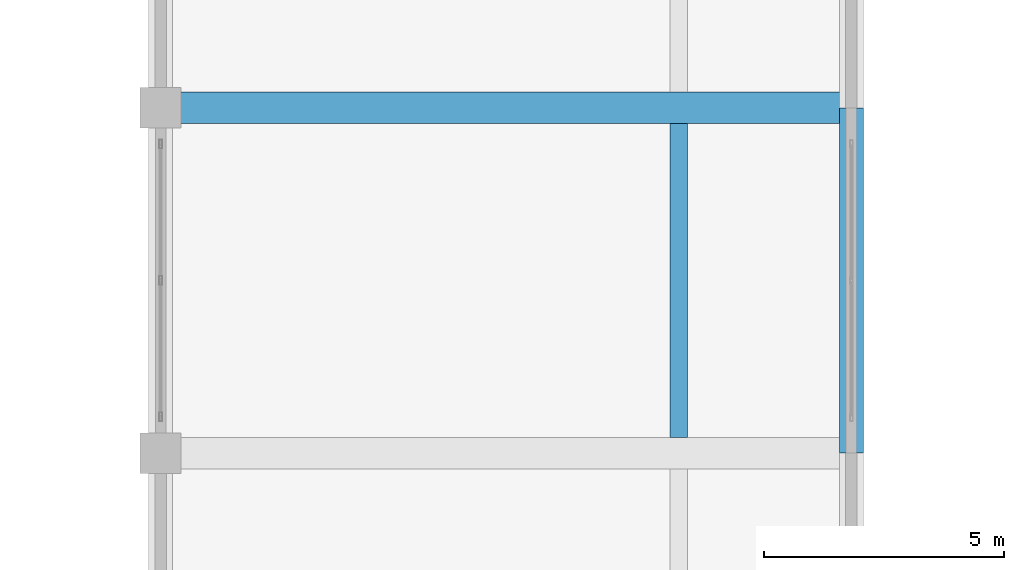
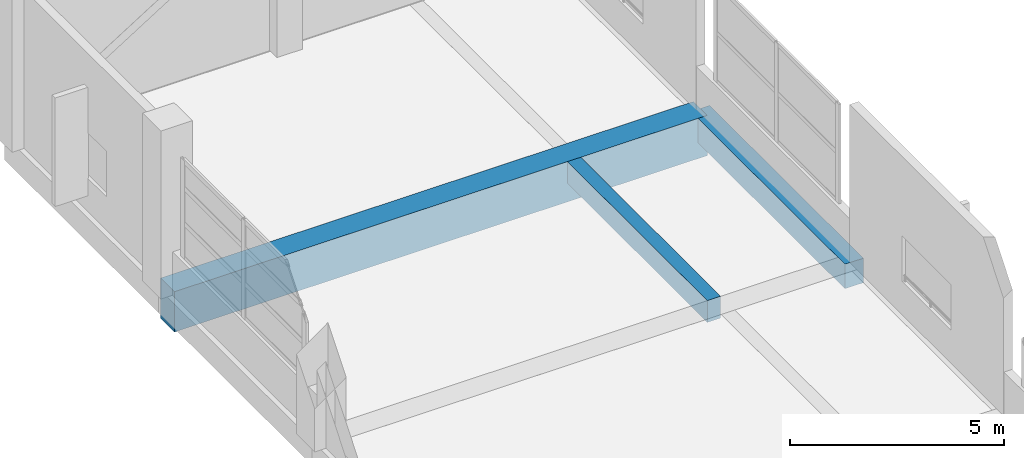
# One storey, part 82 of 181: 3 beams.
"""IFC4 building model written with IfcOpenShell, lengths in metres."""

from ifc_helpers import new_model, si_unit, direction, frame, origin, origin_2d, place, context, subcontext, project, spatial, rectangle, extrude, material, material_profile, profile_set, type_object, element, save


model = new_model("IFC4")

# Units and contexts
model_context = context("Model", 3, precision=1e-05, world=origin(), true_north=direction((0.0, 1.0)))
body_context = subcontext(model_context, "Body", "Model", "MODEL_VIEW")
ifc_project = project(units=[si_unit("LENGTHUNIT", "METRE"), si_unit("AREAUNIT", "SQUARE_METRE"), si_unit("VOLUMEUNIT", "CUBIC_METRE"), si_unit("PLANEANGLEUNIT", "RADIAN"), si_unit("MASSUNIT", "GRAM", prefix="KILO")], contexts=[model_context])

# Site, building, storey
site_placement = place(None, origin())
site = spatial("IfcSite", under=ifc_project, at=site_placement, CompositionType="ELEMENT")
building_placement = place(site_placement, origin())
building = spatial("IfcBuilding", under=site, at=building_placement, Name="Seraya Terrace Polytechnic", CompositionType="ELEMENT")
storey_placement = place(building_placement, frame((0.0, 0.0, 4.800048828125)))
storey = spatial("IfcBuildingStorey", under=building, at=storey_placement, Name="L01", CompositionType="ELEMENT", Elevation=4.800048828125)

# Beams
ifc_material = material(Name="Concrete C40/50", Category="concrete")
ifc_material_profile_1 = material_profile(ifc_material, rectangle(XDim=0.64990234375, YDim=1.14990234375, at=origin_2d()), Name="RC 650x1150")
ifc_profile_set_1 = profile_set([ifc_material_profile_1], Name="Concrete C40/50")
beam_type_1 = type_object("IfcBeamType", Name="BG-02", PredefinedType="USERDEFINED", material=ifc_profile_set_1)
beam_1_placement = place(storey_placement, frame((14.39990234375, 108.0, -0.574951171875), z_axis=(1.0, 0.0, 0.0), x_axis=(0.0, 1.0, 0.0)))
element("IfcBeam", 1, at=beam_1_placement, inside=storey, type_object=beam_type_1, Name="Beam BG-02 L01 X (14.4..28.8, 108.0)", ObjectType="GIRDER", PredefinedType="USERDEFINED", context=body_context, shape_type="SweptSolid", body=[
    extrude(rectangle(XDim=0.64990234375, YDim=1.14990234375, at=origin_2d()), origin(), (0.0, 0.0, 1.0), 14.400146484375),
])
ifc_material_profile_2 = material_profile(ifc_material, rectangle(XDim=0.5, YDim=0.699951171875, at=origin_2d()), Name="RC 500x700")
ifc_profile_set_2 = profile_set([ifc_material_profile_2], Name="Concrete C40/50")
beam_type_2 = type_object("IfcBeamType", Name="BM-07", PredefinedType="BEAM", material=ifc_profile_set_2)
beam_2_placement = place(storey_placement, frame((28.800048828125, 100.800048828125, -0.35009765625), z_axis=(0.0, 1.0, 0.0), x_axis=(-1.0, 0.0, 0.0)))
element("IfcBeam", 2, at=beam_2_placement, inside=storey, type_object=beam_type_2, Name="Beam BM-07 L01 Y (28.8, 100.8..108.0)", PredefinedType="BEAM", context=body_context, shape_type="SweptSolid", body=[
    extrude(rectangle(XDim=0.5, YDim=0.699951171875, at=origin_2d()), origin(), (0.0, 0.0, 1.0), 7.199951171875),
])
ifc_material_profile_3 = material_profile(ifc_material, rectangle(XDim=0.360107421875, YDim=0.6201171875, at=origin_2d()), Name="RC 360x620")
ifc_profile_set_3 = profile_set([ifc_material_profile_3], Name="Concrete C40/50")
beam_type_3 = type_object("IfcBeamType", Name="JS-01", PredefinedType="JOIST", material=ifc_profile_set_3)
beam_3_placement = place(storey_placement, frame((25.199951171875, 101.125, -0.31005859375), z_axis=(0.0, 1.0, 0.0), x_axis=(-1.0, 0.0, 0.0)))
element("IfcBeam", 3, at=beam_3_placement, inside=storey, type_object=beam_type_3, Name="Secondary joist JS-01 L01", PredefinedType="JOIST", context=body_context, shape_type="SweptSolid", body=[
    extrude(rectangle(XDim=0.360107421875, YDim=0.6201171875, at=origin_2d()), origin(), (0.0, 0.0, 1.0), 6.550048828125),
])

save(model, "model.ifc")
